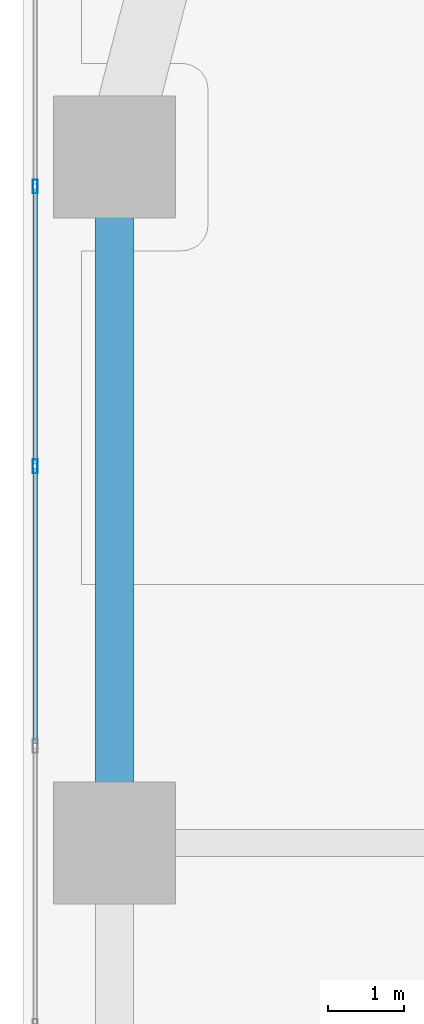
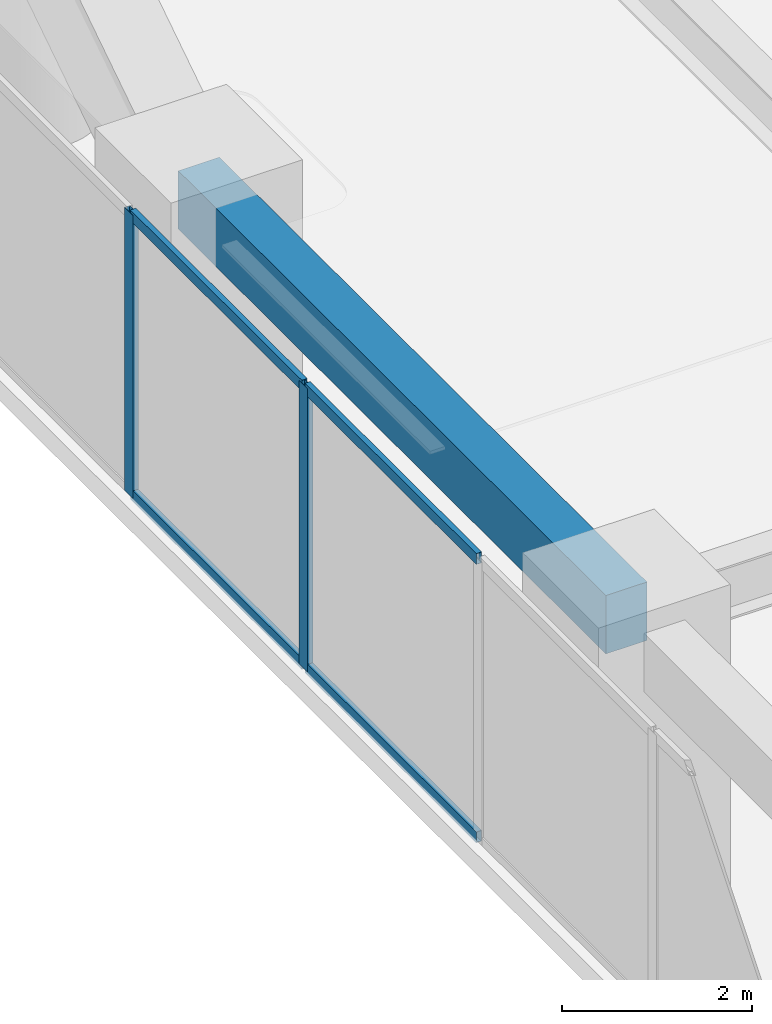
# One storey, part 12 of 28: 6 members, 1 beam, 1 element without a shape of its own.
"""IFC4 building model written with IfcOpenShell, lengths in metres."""

from ifc_helpers import new_model, si_unit, direction, frame, origin, origin_2d, place, context, subcontext, project, spatial, rectangle, hollow_rectangle, extrude, material, layer, layer_set, material_profile, profile_set, type_object, element, aggregate, save


model = new_model("IFC4")

# Units and contexts
model_context = context("Model", 3, precision=1e-05, world=origin(), true_north=direction((0.0, 1.0)))
body_context = subcontext(model_context, "Body", "Model", "MODEL_VIEW")
ifc_project = project(units=[si_unit("LENGTHUNIT", "METRE"), si_unit("AREAUNIT", "SQUARE_METRE"), si_unit("VOLUMEUNIT", "CUBIC_METRE"), si_unit("PLANEANGLEUNIT", "RADIAN"), si_unit("MASSUNIT", "GRAM", prefix="KILO")], contexts=[model_context])

# Site, building, storey
site_placement = place(None, origin())
site = spatial("IfcSite", under=ifc_project, at=site_placement, CompositionType="ELEMENT")
building_placement = place(site_placement, origin())
building = spatial("IfcBuilding", under=site, at=building_placement, Name="Kiyonajd Concourse Tower", CompositionType="ELEMENT")
storey_placement = place(building_placement, frame((0.0, 0.0, 64.5)))
storey = spatial("IfcBuildingStorey", under=building, at=storey_placement, Name="L17", CompositionType="ELEMENT", Elevation=64.5)

# Beam
ifc_material_1 = material(Name="Precast concrete C50/60", Category="concrete")
ifc_material_profile_1 = material_profile(ifc_material_1, rectangle(XDim=0.5, YDim=0.75, at=origin_2d()), Name="RCBM-500x750")
ifc_profile_set_1 = profile_set([ifc_material_profile_1], Name="Precast concrete C50/60")
beam_type = type_object("IfcBeamType", Name="BM-SPAN-RC", PredefinedType="SPANDREL", material=ifc_profile_set_1)
beam_placement = place(storey_placement, frame((19.199951171875, 53.39990234375, 3.264892578125), z_axis=(0.0, -1.0, 0.0), x_axis=(1.0, 0.0, 0.0)))
element("IfcBeam", 1, at=beam_placement, inside=storey, type_object=beam_type, Name="L17 Perimeter Bundled Tube Spandrel", PredefinedType="SPANDREL", context=body_context, shape_type="SweptSolid", body=[
    extrude(rectangle(XDim=0.5, YDim=0.75, at=origin_2d()), origin(), (0.0, 0.0, 1.0), 9.0),
])

# Curtain wall, members
ifc_material_2 = material(Name="Thermally Broken Anodised Aluminium", Category="aluminium")
ifc_layer = layer(ifc_material_2, 0.179931640625)
ifc_layer_set = layer_set([ifc_layer], Name="Thermally Broken Anodised Aluminium")
curtain_wall_type = type_object("IfcCurtainWallType", Name="CW-SYS-02", PredefinedType="NOTDEFINED", material=ifc_layer_set)
curtain_wall_placement = place(storey_placement, origin())
curtain_wall = element("IfcCurtainWall", 2, at=curtain_wall_placement, inside=storey, type_object=curtain_wall_type, Name="L17 Unitised Curtain Wall CW2", PredefinedType="NOTDEFINED")
ifc_material_profile_2 = material_profile(ifc_material_2, hollow_rectangle(XDim=0.06494140625, YDim=0.179931640625, WallThickness=0.00390625, at=origin_2d()), Name="MULL-65x180")
ifc_profile_set_2 = profile_set([ifc_material_profile_2], Name="Thermally Broken Anodised Aluminium")
member_type_1 = type_object("IfcMemberType", Name="MB-CW-MULL1", PredefinedType="MULLION", material=ifc_profile_set_2)
member_1_placement = place(storey_placement, frame((18.159912109375, 49.342529296875, 0.0), z_axis=(0.0, 0.0, 1.0), x_axis=(-1.0, 0.0, 0.0)))
member_1 = element("IfcMember", 3, at=member_1_placement, type_object=member_type_1, Name="CW2 mullion 5", PredefinedType="MULLION", context=body_context, shape_type="SweptSolid", body=[
    extrude(hollow_rectangle(XDim=0.06494140625, YDim=0.179931640625, WallThickness=0.00390625, at=origin_2d()), origin(), (0.0, 0.0, 1.0), 3.639892578125),
])
member_2_placement = place(storey_placement, frame((18.159912109375, 53.015869140625, 0.0), z_axis=(0.0, 0.0, 1.0), x_axis=(-1.0, 0.0, 0.0)))
member_2 = element("IfcMember", 4, at=member_2_placement, type_object=member_type_1, Name="CW2 mullion 6", PredefinedType="MULLION", context=body_context, shape_type="SweptSolid", body=[
    extrude(hollow_rectangle(XDim=0.06494140625, YDim=0.179931640625, WallThickness=0.00390625, at=origin_2d()), origin(), (0.0, 0.0, 1.0), 3.639892578125),
])
ifc_material_profile_3 = material_profile(ifc_material_2, hollow_rectangle(XDim=0.06494140625, YDim=0.139892578125, WallThickness=0.00390625, at=origin_2d()), Name="TRAN-65x140")
ifc_profile_set_3 = profile_set([ifc_material_profile_3], Name="Thermally Broken Anodised Aluminium")
member_type_2 = type_object("IfcMemberType", Name="MB-CW-TRAN1", PredefinedType="USERDEFINED", material=ifc_profile_set_3)
member_3_placement = place(storey_placement, frame((18.159912109375, 45.701904296875, 0.032470703125), z_axis=(0.0, 1.0, 0.0), x_axis=(-1.0, 0.0, 0.0)))
member_3 = element("IfcMember", 5, at=member_3_placement, type_object=member_type_2, Name="CW2 transom 4.1", ObjectType="TRANSOM", PredefinedType="USERDEFINED", context=body_context, shape_type="SweptSolid", body=[
    extrude(hollow_rectangle(XDim=0.06494140625, YDim=0.139892578125, WallThickness=0.00390625, at=origin_2d()), origin(), (0.0, 0.0, 1.0), 3.608154296875),
])
member_4_placement = place(storey_placement, frame((18.159912109375, 45.701904296875, 3.607421875), z_axis=(0.0, 1.0, 0.0), x_axis=(-1.0, 0.0, 0.0)))
member_4 = element("IfcMember", 6, at=member_4_placement, type_object=member_type_2, Name="CW2 transom 4.2", ObjectType="TRANSOM", PredefinedType="USERDEFINED", context=body_context, shape_type="SweptSolid", body=[
    extrude(hollow_rectangle(XDim=0.06494140625, YDim=0.139892578125, WallThickness=0.00390625, at=origin_2d()), origin(), (0.0, 0.0, 1.0), 3.608154296875),
])
member_5_placement = place(storey_placement, frame((18.159912109375, 49.375, 0.032470703125), z_axis=(0.0, 1.0, 0.0), x_axis=(-1.0, 0.0, 0.0)))
member_5 = element("IfcMember", 7, at=member_5_placement, type_object=member_type_2, Name="CW2 transom 5.1", ObjectType="TRANSOM", PredefinedType="USERDEFINED", context=body_context, shape_type="SweptSolid", body=[
    extrude(hollow_rectangle(XDim=0.06494140625, YDim=0.139892578125, WallThickness=0.00390625, at=origin_2d()), origin(), (0.0, 0.0, 1.0), 3.608154296875),
])
member_6_placement = place(storey_placement, frame((18.159912109375, 49.375, 3.607421875), z_axis=(0.0, 1.0, 0.0), x_axis=(-1.0, 0.0, 0.0)))
member_6 = element("IfcMember", 8, at=member_6_placement, type_object=member_type_2, Name="CW2 transom 5.2", ObjectType="TRANSOM", PredefinedType="USERDEFINED", context=body_context, shape_type="SweptSolid", body=[
    extrude(hollow_rectangle(XDim=0.06494140625, YDim=0.139892578125, WallThickness=0.00390625, at=origin_2d()), origin(), (0.0, 0.0, 1.0), 3.608154296875),
])
aggregate(curtain_wall, [member_1, member_2, member_3, member_4, member_5, member_6])

save(model, "model.ifc")
